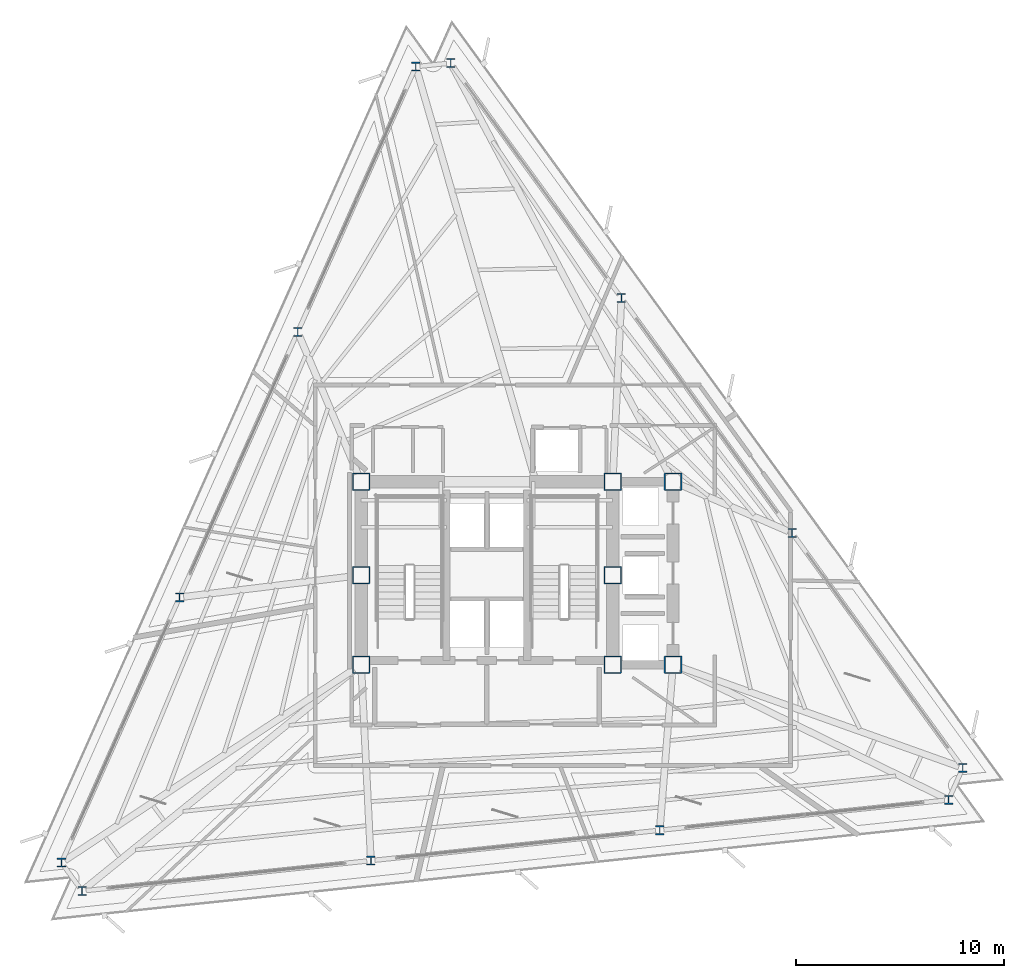
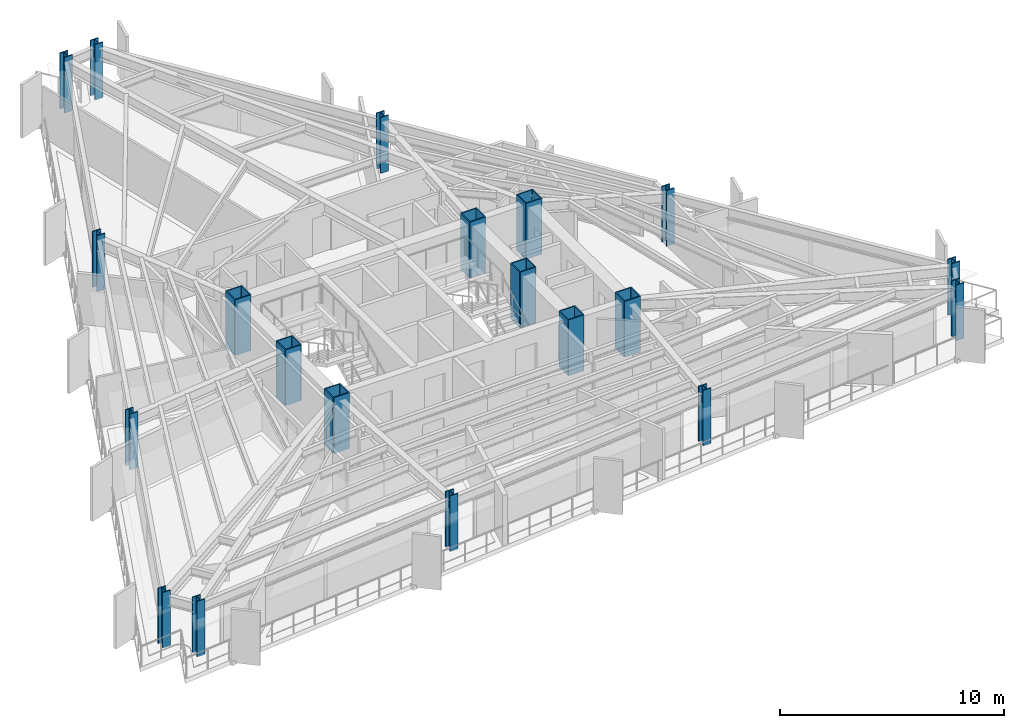
# One storey, part 1 of 12: 20 columns.
"""IFC4 building model written with IfcOpenShell, lengths in metres."""

import ifcopenshell
import ifcopenshell.guid

model = None  # the IFC model being written
_history = None  # IfcOwnerHistory: only IFC2X3 demands one
_inside = {}  # id of a spatial element -> (the spatial element, [elements in it])
_under = {}  # id of a project, library or spatial element -> (it, [spatial elements below it])
_declared = {}  # id of a project -> (the project, [libraries it declares])
_typed = {}  # id of a type object -> (the type object, [elements of that type])
_made_of = {}  # id of a material, layer set ... -> (it, [elements and type objects made of it])


def new_model(schema):
    """Start an empty IFC model of exactly this schema.

    Asked for "IFC4X3", IfcOpenShell would pick the latest addendum, in which some entities
    have other attributes; the version numbers below select the first issue.
    IFC2X3 requires an IfcOwnerHistory on every rooted entity: one is made here for all.
    """
    global model, _history
    if schema == "IFC4X3":
        model = ifcopenshell.file(schema_version=(4, 3, 0, 0))
    else:
        model = ifcopenshell.file(schema=schema)
    _inside.clear()
    _under.clear()
    _declared.clear()
    _typed.clear()
    _made_of.clear()
    _history = None
    if model.schema == "IFC2X3":
        org = make("IfcOrganization", Name="unknown")
        user = make(
            "IfcPersonAndOrganization",
            ThePerson=make("IfcPerson", FamilyName="unknown"),
            TheOrganization=org,
        )
        app = make(
            "IfcApplication",
            ApplicationDeveloper=org,
            Version="unknown",
            ApplicationFullName="unknown",
            ApplicationIdentifier="unknown",
        )
        _history = make(
            "IfcOwnerHistory",
            OwningUser=user,
            OwningApplication=app,
            ChangeAction="ADDED",
            CreationDate=0,
        )
    return model


def make(cls, **values):
    """One entity of the class cls with the attributes given. An attribute that is None is left unset."""
    return model.create_entity(
        cls, **{name: value for name, value in values.items() if value is not None}
    )


def rooted(cls, **values):
    """An entity with a GlobalId (a new one), such as an element, a storey or a relation."""
    return make(cls, GlobalId=ifcopenshell.guid.new(), OwnerHistory=_history, **values)


def si_unit(unit_type, name, prefix=None):
    """IfcSIUnit, for example si_unit("LENGTHUNIT", "METRE", prefix="MILLI")."""
    return make("IfcSIUnit", UnitType=unit_type, Prefix=prefix, Name=name)


def assignment(units):
    """IfcUnitAssignment: the units of a project."""
    return None if units is None else make("IfcUnitAssignment", Units=units)


def point(xyz):
    """IfcCartesianPoint."""
    return None if xyz is None else make("IfcCartesianPoint", Coordinates=xyz)


def direction(xyz):
    """IfcDirection."""
    return None if xyz is None else make("IfcDirection", DirectionRatios=xyz)


def frame(location, z_axis=None, x_axis=None):
    """IfcAxis2Placement3D, a coordinate frame: its origin and axes. An axis left out is left unset."""
    return make(
        "IfcAxis2Placement3D",
        Location=point(location),
        Axis=direction(z_axis),
        RefDirection=direction(x_axis),
    )


def frame_2d(location, x_axis=None):
    """IfcAxis2Placement2D, a coordinate frame in the plane: its origin and x axis."""
    return make(
        "IfcAxis2Placement2D", Location=point(location), RefDirection=direction(x_axis)
    )


def origin():
    """The frame at (0, 0, 0) with its axes left unset."""
    return frame((0.0, 0.0, 0.0))


def origin_2d():
    """The frame at (0, 0) in the plane with its x axis left unset."""
    return frame_2d((0.0, 0.0))


def place(relative_to, where):
    """IfcLocalPlacement: puts the frame where relative to a parent placement (None: the world)."""
    return make(
        "IfcLocalPlacement", PlacementRelTo=relative_to, RelativePlacement=where
    )


def context(
    kind, dimensions, precision=None, world=None, true_north=None, identifier=None
):
    """IfcGeometricRepresentationContext, for example the 3D "Model" context."""
    return make(
        "IfcGeometricRepresentationContext",
        ContextIdentifier=identifier,
        ContextType=kind,
        CoordinateSpaceDimension=dimensions,
        Precision=precision,
        WorldCoordinateSystem=world,
        TrueNorth=true_north,
    )


def subcontext(parent, identifier, kind, view, scale=None):
    """IfcGeometricRepresentationSubContext, for example "Body" below "Model"."""
    return make(
        "IfcGeometricRepresentationSubContext",
        ContextIdentifier=identifier,
        ContextType=kind,
        ParentContext=parent,
        TargetScale=scale,
        TargetView=view,
    )


def project(units=None, contexts=None):
    """IfcProject with its units and contexts."""
    return rooted(
        "IfcProject",
        Name="project",
        RepresentationContexts=contexts,
        UnitsInContext=assignment(units),
    )


def spatial(cls, under=None, at=None, **own):
    """A site, building, storey or space (cls), placed at a placement, below another one or the project."""
    s = rooted(cls, ObjectPlacement=at, **own)
    if under is not None:
        _under.setdefault(under.id(), (under, []))[1].append(s)
    return s


def profile(cls, at=None, kind="AREA", **sizes):
    """A parametric profile (cls). Its sizes go by their IFC names, for example OverallWidth=200.0."""
    return make(cls, ProfileType=kind, Position=at, **sizes)


def hollow_rectangle(**sizes):
    """IfcRectangleHollowProfileDef."""
    return profile("IfcRectangleHollowProfileDef", **sizes)


def i_section(**sizes):
    """IfcIShapeProfileDef."""
    return profile("IfcIShapeProfileDef", **sizes)


def extrude(swept, where, along, depth):
    """IfcExtrudedAreaSolid: the profile swept, set in the frame where, extruded along a direction by depth."""
    return make(
        "IfcExtrudedAreaSolid",
        SweptArea=swept,
        Position=where,
        ExtrudedDirection=direction(along),
        Depth=depth,
    )


def shape(context_of_items, identifier, shape_type, items):
    """IfcShapeRepresentation: the items that make up one representation, for example the "Body"."""
    return make(
        "IfcShapeRepresentation",
        ContextOfItems=context_of_items,
        RepresentationIdentifier=identifier,
        RepresentationType=shape_type,
        Items=items,
    )


def material(Name=None, Category=None):
    """IfcMaterial."""
    return make("IfcMaterial", Name=Name, Category=Category)


def material_profile(
    of_material, cross_section, Name=None, Category=None, Priority=None
):
    """IfcMaterialProfile: a cross section and its material."""
    return make(
        "IfcMaterialProfile",
        Name=Name,
        Material=of_material,
        Profile=cross_section,
        Priority=Priority,
        Category=Category,
    )


def profile_set(profiles, Name=None, composite=None):
    """IfcMaterialProfileSet."""
    return make(
        "IfcMaterialProfileSet",
        Name=Name,
        MaterialProfiles=profiles,
        CompositeProfile=composite,
    )


def made_of(thing, what):
    """Note that an element or type object is made of a material, layer set ...; save() writes the relation."""
    if what is not None:
        _made_of.setdefault(what.id(), (what, []))[1].append(thing)
    return thing


def type_object(cls, material=None, **own):
    """A type object (cls), such as IfcWallType, which elements share."""
    return made_of(rooted(cls, **own), material)


def element(
    cls,
    number,
    at=None,
    inside=None,
    cuts=None,
    type_object=None,
    material=None,
    context=None,
    identifier="Body",
    shape_type=None,
    held_by="IfcProductDefinitionShape",
    body=None,
    shapes=None,
    **own,
):
    """One element of the class cls, such as IfcWall. Its Tag is "e" and its number.

    at: its placement. inside: the storey or other place that contains it. cuts: it is an
    opening in that element (IfcRelVoidsElement). A single representation is given by context,
    identifier, shape_type and body (its items); several are given by shapes. held_by: the class
    of the entity that holds the representations. save() writes the other relations.
    """
    e = rooted(cls, Tag="e%d" % number, ObjectPlacement=at, **own)
    if body is not None:
        shapes = [shape(context, identifier, shape_type, body)]
    if shapes is not None:
        e.Representation = make(held_by, Representations=shapes)
    if inside is not None:
        _inside.setdefault(inside.id(), (inside, []))[1].append(e)
    if cuts is not None:
        rooted(
            "IfcRelVoidsElement", RelatingBuildingElement=cuts, RelatedOpeningElement=e
        )
    if type_object is not None:
        _typed.setdefault(type_object.id(), (type_object, []))[1].append(e)
    return made_of(e, material)


def aggregate(whole, parts):
    """IfcRelAggregates: a whole, such as a stair, and the parts it consists of."""
    return rooted("IfcRelAggregates", RelatingObject=whole, RelatedObjects=parts)


def save(model, path):
    """Write the relations noted so far, then the file.

    IfcRelAggregates (storeys below a building ...), IfcRelContainedInSpatialStructure (elements
    in a storey), IfcRelDefinesByType, IfcRelAssociatesMaterial and IfcRelDeclares: one each for
    every whole, place, type object, material and project.
    """
    for whole, parts in _under.values():
        aggregate(whole, parts)
    for where, things in _inside.values():
        rooted(
            "IfcRelContainedInSpatialStructure",
            RelatedElements=things,
            RelatingStructure=where,
        )
    for kind, things in _typed.values():
        rooted("IfcRelDefinesByType", RelatedObjects=things, RelatingType=kind)
    for what, things in _made_of.values():
        rooted("IfcRelAssociatesMaterial", RelatedObjects=things, RelatingMaterial=what)
    for by, libraries in _declared.values():
        rooted("IfcRelDeclares", RelatingContext=by, RelatedDefinitions=libraries)
    model.write(path)


model = new_model("IFC4")

# Units and contexts
model_context = context("Model", 3, precision=1e-05, world=origin(), true_north=direction((0.0, 1.0)))
body_context = subcontext(model_context, "Body", "Model", "MODEL_VIEW")
ifc_project = project(units=[si_unit("LENGTHUNIT", "METRE"), si_unit("AREAUNIT", "SQUARE_METRE"), si_unit("VOLUMEUNIT", "CUBIC_METRE"), si_unit("PLANEANGLEUNIT", "RADIAN"), si_unit("MASSUNIT", "GRAM", prefix="KILO")], contexts=[model_context])

# Site, building, storey
site_placement = place(None, origin())
site = spatial("IfcSite", under=ifc_project, at=site_placement, CompositionType="ELEMENT")
building_placement = place(site_placement, origin())
building = spatial("IfcBuilding", under=site, at=building_placement, Name="Rocaltana Carrier Exchange", CompositionType="ELEMENT")
storey_placement = place(building_placement, frame((0.0, 0.0, 113.760009765625)))
storey = spatial("IfcBuildingStorey", under=building, at=storey_placement, Name="L35", CompositionType="ELEMENT", Elevation=113.760009765625)

# Columns
ifc_material_1 = material(Name="Steel S460", Category="steel")
ifc_material_profile_1 = material_profile(ifc_material_1, hollow_rectangle(XDim=0.85009765625, YDim=0.85009765625, WallThickness=0.054931640625, InnerFilletRadius=0.02001953125, OuterFilletRadius=0.0400390625, at=origin_2d()), Name="BOX850X850X55")
ifc_profile_set_1 = profile_set([ifc_material_profile_1], Name="Steel S460")
column_type_1 = type_object("IfcColumnType", Name="Core Mega-Column BOX850", PredefinedType="COLUMN", material=ifc_profile_set_1)
for number, where, z_axis, x_axis, name in (
    (1, (-6.050048828125, 4.5, 0.0), (0.0, 0.0, 1.0), (1.0, 0.0, 0.0), "L35 Core Mega-Column MC1"),
    (2, (6.050048828125, 4.5, 0.0), (0.0, 0.0, 1.0), (1.0, 0.0, 0.0), "L35 Core Mega-Column MC2"),
    (3, (-6.050048828125, 0.0, 0.0), (0.0, 0.0, 1.0), (1.0, 0.0, 0.0), "L35 Core Mega-Column MC3"),
    (4, (6.050048828125, 0.0, 0.0), (0.0, 0.0, 1.0), (1.0, 0.0, 0.0), "L35 Core Mega-Column MC4"),
    (5, (-6.050048828125, -4.300048828125, 0.0), (0.0, 0.0, 1.0), (1.0, 0.0, 0.0), "L35 Core Mega-Column MC5"),
    (6, (6.050048828125, -4.300048828125, 0.0), (0.0, 0.0, 1.0), (1.0, 0.0, 0.0), "L35 Core Mega-Column MC6"),
    (7, (8.949951171875, 4.5, 0.0), (0.0, 0.0, 1.0), (1.0, 0.0, 0.0), "L35 East Core Column EC1"),
    (8, (8.949951171875, -4.300048828125, 0.0), (0.0, 0.0, 1.0), (1.0, 0.0, 0.0), "L35 East Core Column EC2"),
):
    element("IfcColumn", number, at=place(storey_placement, frame(where, z_axis=z_axis, x_axis=x_axis)), inside=storey, type_object=column_type_1, Name=name, PredefinedType="COLUMN", context=body_context, shape_type="SweptSolid", body=[
        extrude(hollow_rectangle(XDim=0.85009765625, YDim=0.85009765625, WallThickness=0.054931640625, InnerFilletRadius=0.02001953125, OuterFilletRadius=0.0400390625, at=origin_2d()), origin(), (0.0, 0.0, 1.0), 3.0400390625),
    ])
ifc_material_2 = material(Name="Steel S460", Category="steel")
ifc_material_profile_2 = material_profile(ifc_material_2, i_section(OverallWidth=0.412109375, OverallDepth=0.43505859375, WebThickness=0.035888671875, FlangeThickness=0.057373046875, FilletRadius=0.02197265625, at=origin_2d()), Name="W14X311")
ifc_profile_set_2 = profile_set([ifc_material_profile_2], Name="Steel S460")
column_type_2 = type_object("IfcColumnType", Name="Perimeter Column W14X311", PredefinedType="COLUMN", material=ifc_profile_set_2)
for number, where, z_axis, x_axis, name in (
    (9, (22.88671875, -9.267578125, 0.0), (0.0, 0.0, 1.0), (1.0, 0.0, 0.0), "L35 Perimeter Column TC01"),
    (10, (14.67724609375, 2.03173828125, 0.0), (0.0, 0.0, 1.0), (1.0, 0.0, 0.0), "L35 Perimeter Column TC02"),
    (11, (6.4677734375, 13.3310546875, 0.0), (0.0, 0.0, 1.0), (1.0, 0.0, 0.0), "L35 Perimeter Column TC03"),
    (12, (-1.74169921875, 24.63037109375, 0.0), (0.0, 0.0, 1.0), (1.0, 0.0, 0.0), "L35 Perimeter Column TC04"),
    (13, (-3.417236328125, 24.4541015625, 0.0), (0.0, 0.0, 1.0), (1.0, 0.0, 0.0), "L35 Perimeter Column TC05"),
    (14, (-9.09814453125, 11.69482421875, 0.0), (0.0, 0.0, 1.0), (1.0, 0.0, 0.0), "L35 Perimeter Column TC06"),
    (15, (-14.77880859375, -1.064208984375, 0.0), (0.0, 0.0, 1.0), (1.0, 0.0, 0.0), "L35 Perimeter Column TC07"),
    (16, (-20.459716796875, -13.823486328125, 0.0), (0.0, 0.0, 1.0), (1.0, 0.0, 0.0), "L35 Perimeter Column TC08"),
    (17, (-19.46923828125, -15.1865234375, 0.0), (0.0, 0.0, 1.0), (1.0, 0.0, 0.0), "L35 Perimeter Column TC09"),
    (18, (-5.5791015625, -13.726806640625, 0.0), (0.0, 0.0, 1.0), (1.0, 0.0, 0.0), "L35 Perimeter Column TC10"),
    (19, (8.31103515625, -12.2666015625, 0.0), (0.0, 0.0, 1.0), (1.0, 0.0, 0.0), "L35 Perimeter Column TC11"),
    (20, (22.201171875, -10.806884765625, 0.0), (0.0, 0.0, 1.0), (1.0, 0.0, 0.0), "L35 Perimeter Column TC12"),
):
    element("IfcColumn", number, at=place(storey_placement, frame(where, z_axis=z_axis, x_axis=x_axis)), inside=storey, type_object=column_type_2, Name=name, PredefinedType="COLUMN", context=body_context, shape_type="SweptSolid", body=[
        extrude(i_section(OverallWidth=0.412109375, OverallDepth=0.43505859375, WebThickness=0.035888671875, FlangeThickness=0.057373046875, FilletRadius=0.02197265625, at=origin_2d()), origin(), (0.0, 0.0, 1.0), 3.0400390625),
    ])

save(model, "model.ifc")
